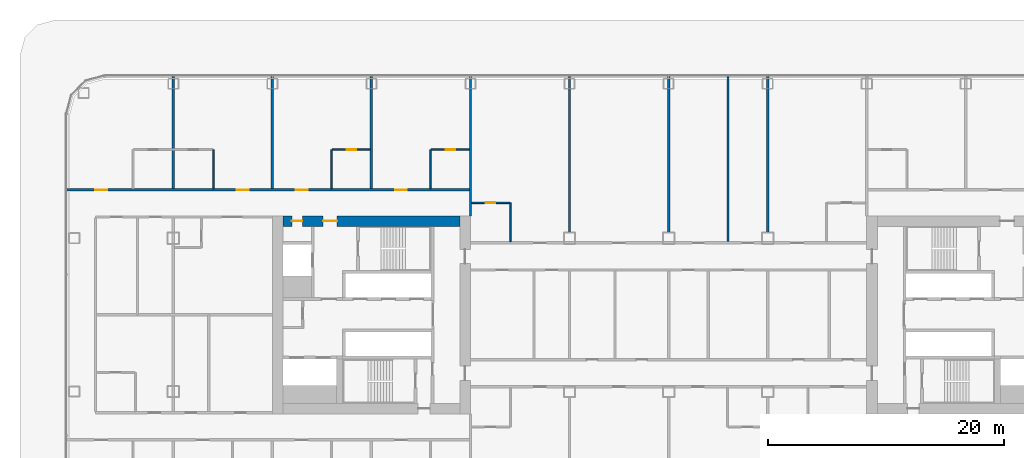
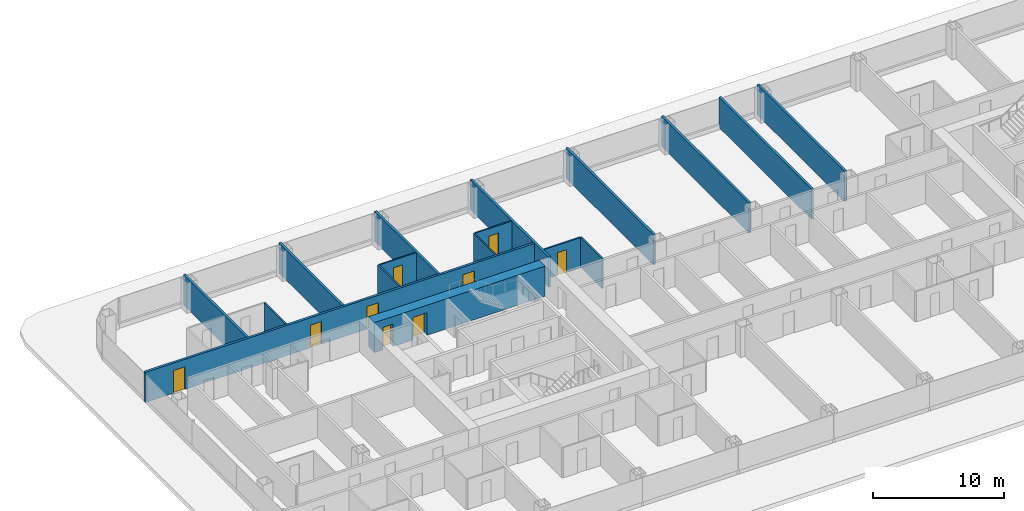
# One storey, part 24 of 42: 17 walls, 9 doors, 9 openings.
"""IFC4 building model written with IfcOpenShell, lengths in metres."""

from ifc_helpers import new_model, si_unit, direction, frame, frame_2d, origin, place, context, subcontext, project, spatial, rectangle, extrude, material, layer, layer_set, type_object, element, fill, save


model = new_model("IFC4")

# Units and contexts
model_context = context("Model", 3, precision=1e-05, world=origin(), true_north=direction((0.0, 1.0)))
body_context = subcontext(model_context, "Body", "Model", "MODEL_VIEW")
ifc_project = project(units=[si_unit("LENGTHUNIT", "METRE"), si_unit("AREAUNIT", "SQUARE_METRE"), si_unit("VOLUMEUNIT", "CUBIC_METRE"), si_unit("PLANEANGLEUNIT", "RADIAN"), si_unit("MASSUNIT", "GRAM", prefix="KILO")], contexts=[model_context])

# Site, building, storey
site_placement = place(None, origin())
site = spatial("IfcSite", under=ifc_project, at=site_placement, CompositionType="ELEMENT")
building_placement = place(site_placement, origin())
building = spatial("IfcBuilding", under=site, at=building_placement, Name="Hakoniwa Tower and Hamabe Station Hall", CompositionType="ELEMENT")
storey_placement = place(building_placement, frame((0.0, 0.0, 19.800048828125)))
storey = spatial("IfcBuildingStorey", under=building, at=storey_placement, Name="L04", CompositionType="ELEMENT", Elevation=19.800048828125)

# Wall, opening, door
ifc_material_1 = material(Name="Gypsum board partition", Category="gypsum")
ifc_layer_1 = layer(ifc_material_1, 0.125)
ifc_layer_set_1 = layer_set([ifc_layer_1], Name="Bathroom Partition 125")
wall_type_1 = type_object("IfcWallType", Name="Bathroom Partition 125", PredefinedType="PARTITIONING", material=ifc_layer_set_1)
wall_1_placement = place(storey_placement, frame((-16.699951171875, 9.5, 0.0), z_axis=(0.0, 0.0, 1.0), x_axis=(1.0, 0.0, 0.0)))
wall_1 = element("IfcWall", 1, at=wall_1_placement, inside=storey, type_object=wall_type_1, Name="GW-L04-026", PredefinedType="PARTITIONING", context=body_context, shape_type="SweptSolid", body=[
    extrude(rectangle(XDim=3.237548828125, YDim=0.125, at=frame_2d((1.61865234375, 0.0))), origin(), (0.0, 0.0, 1.0), 2.800048828125),
])
opening_1_placement = place(wall_1_placement, frame((1.199951171875, 0.0, 0.0)))
opening_1 = element("IfcOpeningElement", 2, at=opening_1_placement, cuts=wall_1, Name="Opening GD-G1A0-50", PredefinedType="OPENING", context=body_context, shape_type="SweptSolid", body=[
    extrude(rectangle(XDim=0.800048828125, YDim=2.10009765625, at=frame_2d((0.39990234375, 1.050048828125))), frame((0.0, 0.072509765625, 0.0), z_axis=(0.0, -1.0, 0.0), x_axis=(1.0, 0.0, 0.0)), (0.0, 0.0, 1.0), 0.14501953125),
])
ifc_material_2 = material(Name="Timber door leaf", Category="wood")
door_type_1 = type_object("IfcDoorType", Name="Bathroom Door 800", OperationType="SINGLE_SWING_LEFT", PredefinedType="DOOR", material=ifc_material_2)
door_1_placement = place(opening_1_placement, origin())
door_1 = element("IfcDoor", 3, at=door_1_placement, inside=storey, type_object=door_type_1, Name="Door GD-G1A0-50", OperationType="SINGLE_SWING_RIGHT", OverallHeight=2.10009765625, OverallWidth=0.800048828125, PredefinedType="DOOR", context=body_context, shape_type="SweptSolid", body=[
    extrude(rectangle(XDim=0.800048828125, YDim=2.10009765625, at=frame_2d((0.39990234375, 1.050048828125))), frame((0.0, 0.02490234375, 0.0), z_axis=(0.0, -1.0, 0.0), x_axis=(1.0, 0.0, 0.0)), (0.0, 0.0, 1.0), 0.050048828125),
])
fill(opening_1, door_1)

wall_2_placement = place(storey_placement, frame((-28.53759765625, 14.0, 0.0), z_axis=(0.0, 0.0, 1.0), x_axis=(1.0, 0.0, 0.0)))
wall_2 = element("IfcWall", 4, at=wall_2_placement, inside=storey, type_object=wall_type_1, Name="GW-L04-031", PredefinedType="PARTITIONING", context=body_context, shape_type="SweptSolid", body=[
    extrude(rectangle(XDim=3.237548828125, YDim=0.125, at=frame_2d((1.61865234375, 0.0))), origin(), (0.0, 0.0, 1.0), 2.800048828125),
])
opening_2_placement = place(wall_2_placement, frame((1.237548828125, 0.0, 0.0)))
opening_2 = element("IfcOpeningElement", 5, at=opening_2_placement, cuts=wall_2, Name="Opening GD-G1A0-62", PredefinedType="OPENING", context=body_context, shape_type="SweptSolid", body=[
    extrude(rectangle(XDim=0.800048828125, YDim=2.10009765625, at=frame_2d((0.39990234375, 1.050048828125))), frame((0.0, 0.072509765625, 0.0), z_axis=(0.0, -1.0, 0.0), x_axis=(1.0, 0.0, 0.0)), (0.0, 0.0, 1.0), 0.14501953125),
])
door_2_placement = place(opening_2_placement, origin())
door_2 = element("IfcDoor", 6, at=door_2_placement, inside=storey, type_object=door_type_1, Name="Door GD-G1A0-62", OperationType="SINGLE_SWING_LEFT", OverallHeight=2.10009765625, OverallWidth=0.800048828125, PredefinedType="DOOR", context=body_context, shape_type="SweptSolid", body=[
    extrude(rectangle(XDim=0.800048828125, YDim=2.10009765625, at=frame_2d((0.39990234375, 1.050048828125))), frame((0.0, 0.02490234375, 0.0), z_axis=(0.0, -1.0, 0.0), x_axis=(1.0, 0.0, 0.0)), (0.0, 0.0, 1.0), 0.050048828125),
])
fill(opening_2, door_2)

wall_3_placement = place(storey_placement, frame((-20.137451171875, 14.0, 0.0), z_axis=(0.0, 0.0, 1.0), x_axis=(1.0, 0.0, 0.0)))
wall_3 = element("IfcWall", 7, at=wall_3_placement, inside=storey, type_object=wall_type_1, Name="GW-L04-032", PredefinedType="PARTITIONING", context=body_context, shape_type="SweptSolid", body=[
    extrude(rectangle(XDim=3.237548828125, YDim=0.125, at=frame_2d((1.61865234375, 0.0))), origin(), (0.0, 0.0, 1.0), 2.800048828125),
])
opening_3_placement = place(wall_3_placement, frame((1.237548828125, 0.0, 0.0)))
opening_3 = element("IfcOpeningElement", 8, at=opening_3_placement, cuts=wall_3, Name="Opening GD-G1A0-63", PredefinedType="OPENING", context=body_context, shape_type="SweptSolid", body=[
    extrude(rectangle(XDim=0.800048828125, YDim=2.10009765625, at=frame_2d((0.39990234375, 1.050048828125))), frame((0.0, 0.072509765625, 0.0), z_axis=(0.0, -1.0, 0.0), x_axis=(1.0, 0.0, 0.0)), (0.0, 0.0, 1.0), 0.14501953125),
])
door_3_placement = place(opening_3_placement, origin())
door_3 = element("IfcDoor", 9, at=door_3_placement, inside=storey, type_object=door_type_1, Name="Door GD-G1A0-63", OperationType="SINGLE_SWING_RIGHT", OverallHeight=2.10009765625, OverallWidth=0.800048828125, PredefinedType="DOOR", context=body_context, shape_type="SweptSolid", body=[
    extrude(rectangle(XDim=0.800048828125, YDim=2.10009765625, at=frame_2d((0.39990234375, 1.050048828125))), frame((0.0, 0.02490234375, 0.0), z_axis=(0.0, -1.0, 0.0), x_axis=(1.0, 0.0, 0.0)), (0.0, 0.0, 1.0), 0.050048828125),
])
fill(opening_3, door_3)

# Walls
for number, where, z_axis, x_axis, name in (
    (10, (-38.60009765625, 10.699951171875, 0.0), (0.0, 0.0, 1.0), (0.0, 1.0, 0.0), "GW-L04-046"),
    (11, (-28.60009765625, 10.699951171875, 0.0), (0.0, 0.0, 1.0), (0.0, 1.0, 0.0), "GW-L04-051"),
    (12, (-20.199951171875, 10.699951171875, 0.0), (0.0, 0.0, 1.0), (0.0, 1.0, 0.0), "GW-L04-055"),
    (13, (-13.39990234375, 6.199951171875, 0.0), (0.0, 0.0, 1.0), (0.0, 1.0, 0.0), "GW-L04-059"),
):
    element("IfcWall", number, at=place(storey_placement, frame(where, z_axis=z_axis, x_axis=x_axis)), inside=storey, type_object=wall_type_1, Name=name, PredefinedType="PARTITIONING", context=body_context, shape_type="SweptSolid", body=[
        extrude(rectangle(XDim=3.300048828125, YDim=0.125, at=frame_2d((1.64990234375, 0.0))), origin(), (0.0, 0.0, 1.0), 2.800048828125),
    ])

# Wall, openings, doors
ifc_material_3 = material(Name="Concrete C80", Category="concrete")
ifc_layer_2 = layer(ifc_material_3, 0.89990234375)
ifc_layer_set_2 = layer_set([ifc_layer_2], Name="CORE WALL 900 C80")
wall_type_2 = type_object("IfcWallType", Name="CORE WALL 900 C80", PredefinedType="SHEAR", material=ifc_layer_set_2)
wall_4_placement = place(storey_placement, frame((-32.699951171875, 7.949951171875, 0.0), z_axis=(0.0, 0.0, 1.0), x_axis=(1.0, 0.0, 0.0)))
wall_4 = element("IfcWall", 14, at=wall_4_placement, inside=storey, type_object=wall_type_2, Name="Core wall NORTH west", PredefinedType="SHEAR", context=body_context, shape_type="SweptSolid", body=[
    extrude(rectangle(XDim=15.0, YDim=0.89990234375, at=frame_2d((7.5, 0.0))), origin(), (0.0, 0.0, 1.0), 2.800048828125),
])
opening_4_placement = place(wall_4_placement, frame((3.39990234375, 0.0, 0.0)))
opening_4 = element("IfcOpeningElement", 15, at=opening_4_placement, cuts=wall_4, Name="Opening CD-W-FN1-12", PredefinedType="OPENING", context=body_context, shape_type="SweptSolid", body=[
    extrude(rectangle(XDim=1.199951171875, YDim=2.10009765625, at=frame_2d((0.60009765625, 1.050048828125))), frame((0.0, 0.4599609375, 0.0), z_axis=(0.0, -1.0, 0.0), x_axis=(1.0, 0.0, 0.0)), (0.0, 0.0, 1.0), 0.919921875),
])
opening_5_placement = place(wall_4_placement, frame((0.75, 0.0, 0.0)))
opening_5 = element("IfcOpeningElement", 16, at=opening_5_placement, cuts=wall_4, Name="Opening CD-W-FN2-9", PredefinedType="OPENING", context=body_context, shape_type="SweptSolid", body=[
    extrude(rectangle(XDim=0.89990234375, YDim=2.10009765625, at=frame_2d((0.449951171875, 1.050048828125))), frame((0.0, 0.4599609375, 0.0), z_axis=(0.0, -1.0, 0.0), x_axis=(1.0, 0.0, 0.0)), (0.0, 0.0, 1.0), 0.919921875),
])
ifc_material_4 = material(Name="Steel fire door", Category="steel")
door_type_2 = type_object("IfcDoorType", Name="CORE DOOR 1200 FD60", OperationType="DOUBLE_DOOR_SINGLE_SWING", PredefinedType="DOOR", material=ifc_material_4)
door_4_placement = place(opening_4_placement, origin())
door_4 = element("IfcDoor", 17, at=door_4_placement, inside=storey, type_object=door_type_2, Name="Stair vestibule door to the fire-fighting lobby", OperationType="DOUBLE_DOOR_SINGLE_SWING", OverallHeight=2.10009765625, OverallWidth=1.199951171875, PredefinedType="DOOR", context=body_context, shape_type="SweptSolid", body=[
    extrude(rectangle(XDim=1.199951171875, YDim=2.10009765625, at=frame_2d((0.60009765625, 1.050048828125))), frame((0.0, 0.02490234375, 0.0), z_axis=(0.0, -1.0, 0.0), x_axis=(1.0, 0.0, 0.0)), (0.0, 0.0, 1.0), 0.050048828125),
])
fill(opening_4, door_4)
ifc_material_5 = material(Name="Steel fire door", Category="steel")
door_type_3 = type_object("IfcDoorType", Name="CORE DOOR 900 FD30", OperationType="NOTDEFINED", PredefinedType="DOOR", material=ifc_material_5)
door_5_placement = place(opening_5_placement, origin())
door_5 = element("IfcDoor", 18, at=door_5_placement, inside=storey, type_object=door_type_3, Name="Riser access door", OperationType="SINGLE_SWING_RIGHT", OverallHeight=2.10009765625, OverallWidth=0.89990234375, PredefinedType="DOOR", context=body_context, shape_type="SweptSolid", body=[
    extrude(rectangle(XDim=0.89990234375, YDim=2.10009765625, at=frame_2d((0.449951171875, 1.050048828125))), frame((0.0, 0.02490234375, 0.0), z_axis=(0.0, -1.0, 0.0), x_axis=(1.0, 0.0, 0.0)), (0.0, 0.0, 1.0), 0.050048828125),
])
fill(opening_5, door_5)

ifc_material_6 = material(Name="Fire-rated gypsum board partition", Category="gypsum")
ifc_layer_3 = layer(ifc_material_6, 0.199951171875)
ifc_layer_set_3 = layer_set([ifc_layer_3], Name="Corridor Wall 200")
wall_type_3 = type_object("IfcWallType", Name="Corridor Wall 200", PredefinedType="PARTITIONING", material=ifc_layer_set_3)
wall_5_placement = place(storey_placement, frame((-51.10009765625, 10.60009765625, 0.0), z_axis=(0.0, 0.0, 1.0), x_axis=(1.0, 0.0, 0.0)))
wall_5 = element("IfcWall", 19, at=wall_5_placement, inside=storey, type_object=wall_type_3, Name="GW-L04-028", PredefinedType="PARTITIONING", context=body_context, shape_type="SweptSolid", body=[
    extrude(rectangle(XDim=34.300048828125, YDim=0.199951171875, at=frame_2d((17.14990234375, 0.0))), origin(), (0.0, 0.0, 1.0), 2.800048828125),
])
opening_6_placement = place(wall_5_placement, frame((2.5, 0.0, 0.0)))
opening_6 = element("IfcOpeningElement", 20, at=opening_6_placement, cuts=wall_5, Name="Opening GD-G1A0-52", PredefinedType="OPENING", context=body_context, shape_type="SweptSolid", body=[
    extrude(rectangle(XDim=1.0, YDim=2.10009765625, at=frame_2d((0.5, 1.050048828125))), frame((0.0, 0.10986328125, 0.0), z_axis=(0.0, -1.0, 0.0), x_axis=(1.0, 0.0, 0.0)), (0.0, 0.0, 1.0), 0.219970703125),
])
opening_7_placement = place(wall_5_placement, frame((14.5, 0.0, 0.0)))
opening_7 = element("IfcOpeningElement", 21, at=opening_7_placement, cuts=wall_5, Name="Opening GD-G1A0-53", PredefinedType="OPENING", context=body_context, shape_type="SweptSolid", body=[
    extrude(rectangle(XDim=1.0, YDim=2.10009765625, at=frame_2d((0.5, 1.050048828125))), frame((0.0, 0.10986328125, 0.0), z_axis=(0.0, -1.0, 0.0), x_axis=(1.0, 0.0, 0.0)), (0.0, 0.0, 1.0), 0.219970703125),
])
opening_8_placement = place(wall_5_placement, frame((19.5, 0.0, 0.0)))
opening_8 = element("IfcOpeningElement", 22, at=opening_8_placement, cuts=wall_5, Name="Opening GD-G1A0-54", PredefinedType="OPENING", context=body_context, shape_type="SweptSolid", body=[
    extrude(rectangle(XDim=1.0, YDim=2.10009765625, at=frame_2d((0.5, 1.050048828125))), frame((0.0, 0.10986328125, 0.0), z_axis=(0.0, -1.0, 0.0), x_axis=(1.0, 0.0, 0.0)), (0.0, 0.0, 1.0), 0.219970703125),
])
opening_9_placement = place(wall_5_placement, frame((27.89990234375, 0.0, 0.0)))
opening_9 = element("IfcOpeningElement", 23, at=opening_9_placement, cuts=wall_5, Name="Opening GD-G1A0-55", PredefinedType="OPENING", context=body_context, shape_type="SweptSolid", body=[
    extrude(rectangle(XDim=1.0, YDim=2.10009765625, at=frame_2d((0.5, 1.050048828125))), frame((0.0, 0.10986328125, 0.0), z_axis=(0.0, -1.0, 0.0), x_axis=(1.0, 0.0, 0.0)), (0.0, 0.0, 1.0), 0.219970703125),
])
ifc_material_7 = material(Name="Timber door leaf", Category="wood")
door_type_4 = type_object("IfcDoorType", Name="Guest Entrance Door 1000", OperationType="SINGLE_SWING_LEFT", PredefinedType="DOOR", material=ifc_material_7)
door_6_placement = place(opening_6_placement, origin())
door_6 = element("IfcDoor", 24, at=door_6_placement, inside=storey, type_object=door_type_4, Name="Door GD-G1A0-52", OperationType="SINGLE_SWING_LEFT", OverallHeight=2.10009765625, OverallWidth=1.0, PredefinedType="DOOR", context=body_context, shape_type="SweptSolid", body=[
    extrude(rectangle(XDim=1.0, YDim=2.10009765625, at=frame_2d((0.5, 1.050048828125))), frame((0.0, 0.02490234375, 0.0), z_axis=(0.0, -1.0, 0.0), x_axis=(1.0, 0.0, 0.0)), (0.0, 0.0, 1.0), 0.050048828125),
])
fill(opening_6, door_6)
door_7_placement = place(opening_7_placement, origin())
door_7 = element("IfcDoor", 25, at=door_7_placement, inside=storey, type_object=door_type_4, Name="Door GD-G1A0-53", OperationType="SINGLE_SWING_RIGHT", OverallHeight=2.10009765625, OverallWidth=1.0, PredefinedType="DOOR", context=body_context, shape_type="SweptSolid", body=[
    extrude(rectangle(XDim=1.0, YDim=2.10009765625, at=frame_2d((0.5, 1.050048828125))), frame((0.0, 0.02490234375, 0.0), z_axis=(0.0, -1.0, 0.0), x_axis=(1.0, 0.0, 0.0)), (0.0, 0.0, 1.0), 0.050048828125),
])
fill(opening_7, door_7)
door_8_placement = place(opening_8_placement, origin())
door_8 = element("IfcDoor", 26, at=door_8_placement, inside=storey, type_object=door_type_4, Name="Door GD-G1A0-54", OperationType="SINGLE_SWING_LEFT", OverallHeight=2.10009765625, OverallWidth=1.0, PredefinedType="DOOR", context=body_context, shape_type="SweptSolid", body=[
    extrude(rectangle(XDim=1.0, YDim=2.10009765625, at=frame_2d((0.5, 1.050048828125))), frame((0.0, 0.02490234375, 0.0), z_axis=(0.0, -1.0, 0.0), x_axis=(1.0, 0.0, 0.0)), (0.0, 0.0, 1.0), 0.050048828125),
])
fill(opening_8, door_8)
door_9_placement = place(opening_9_placement, origin())
door_9 = element("IfcDoor", 27, at=door_9_placement, inside=storey, type_object=door_type_4, Name="Door GD-G1A0-55", OperationType="SINGLE_SWING_RIGHT", OverallHeight=2.10009765625, OverallWidth=1.0, PredefinedType="DOOR", context=body_context, shape_type="SweptSolid", body=[
    extrude(rectangle(XDim=1.0, YDim=2.10009765625, at=frame_2d((0.5, 1.050048828125))), frame((0.0, 0.02490234375, 0.0), z_axis=(0.0, -1.0, 0.0), x_axis=(1.0, 0.0, 0.0)), (0.0, 0.0, 1.0), 0.050048828125),
])
fill(opening_9, door_9)

# Walls
ifc_material_8 = material(Name="Fire-rated gypsum board partition", Category="gypsum")
ifc_layer_4 = layer(ifc_material_8, 0.199951171875)
ifc_layer_set_4 = layer_set([ifc_layer_4], Name="Party Wall 200")
wall_type_4 = type_object("IfcWallType", Name="Party Wall 200", PredefinedType="PARTITIONING", material=ifc_layer_set_4)
for number, where, z_axis, x_axis, name in (
    (28, (-42.0, 10.699951171875, 0.0), (0.0, 0.0, 1.0), (0.0, 1.0, 0.0), "GW-L04-043"),
    (29, (-33.60009765625, 10.699951171875, 0.0), (0.0, 0.0, 1.0), (0.0, 1.0, 0.0), "GW-L04-049"),
    (30, (-25.199951171875, 10.699951171875, 0.0), (0.0, 0.0, 1.0), (0.0, 1.0, 0.0), "GW-L04-053"),
):
    element("IfcWall", number, at=place(storey_placement, frame(where, z_axis=z_axis, x_axis=x_axis)), inside=storey, type_object=wall_type_4, Name=name, PredefinedType="PARTITIONING", context=body_context, shape_type="SweptSolid", body=[
        extrude(rectangle(XDim=9.60009765625, YDim=0.199951171875, at=frame_2d((4.800048828125, 0.0))), origin(), (0.0, 0.0, 1.0), 2.800048828125),
    ])
wall_6_placement = place(storey_placement, frame((-16.800048828125, 8.389892578125, 0.0), z_axis=(0.0, 0.0, 1.0), x_axis=(0.0, 1.0, 0.0)))
element("IfcWall", 31, at=wall_6_placement, inside=storey, type_object=wall_type_4, Name="GW-L04-057", PredefinedType="PARTITIONING", context=body_context, shape_type="SweptSolid", body=[
    extrude(rectangle(XDim=11.91015625, YDim=0.199951171875, at=frame_2d((5.955078125, 0.0))), origin(), (0.0, 0.0, 1.0), 2.800048828125),
])
for number, where, z_axis, x_axis, name in (
    (32, (-8.39990234375, 6.989990234375, 0.0), (0.0, 0.0, 1.0), (0.0, 1.0, 0.0), "GW-L04-063"),
    (33, (0.0, 6.989990234375, 0.0), (0.0, 0.0, 1.0), (0.0, 1.0, 0.0), "GW-L04-067"),
):
    element("IfcWall", number, at=place(storey_placement, frame(where, z_axis=z_axis, x_axis=x_axis)), inside=storey, type_object=wall_type_4, Name=name, PredefinedType="PARTITIONING", context=body_context, shape_type="SweptSolid", body=[
        extrude(rectangle(XDim=13.31005859375, YDim=0.199951171875, at=frame_2d((6.655029296875, 0.0))), origin(), (0.0, 0.0, 1.0), 2.800048828125),
    ])
wall_7_placement = place(storey_placement, frame((5.0400390625, 6.199951171875, 0.0), z_axis=(0.0, 0.0, 1.0), x_axis=(0.0, 1.0, 0.0)))
element("IfcWall", 34, at=wall_7_placement, inside=storey, type_object=wall_type_4, Name="GW-L04-070", PredefinedType="PARTITIONING", context=body_context, shape_type="SweptSolid", body=[
    extrude(rectangle(XDim=14.10009765625, YDim=0.199951171875, at=frame_2d((7.050048828125, 0.0))), origin(), (0.0, 0.0, 1.0), 2.800048828125),
])
wall_8_placement = place(storey_placement, frame((8.39990234375, 6.989990234375, 0.0), z_axis=(0.0, 0.0, 1.0), x_axis=(0.0, 1.0, 0.0)))
element("IfcWall", 35, at=wall_8_placement, inside=storey, type_object=wall_type_4, Name="GW-L04-073", PredefinedType="PARTITIONING", context=body_context, shape_type="SweptSolid", body=[
    extrude(rectangle(XDim=13.31005859375, YDim=0.199951171875, at=frame_2d((6.655029296875, 0.0))), origin(), (0.0, 0.0, 1.0), 2.800048828125),
])

save(model, "model.ifc")
